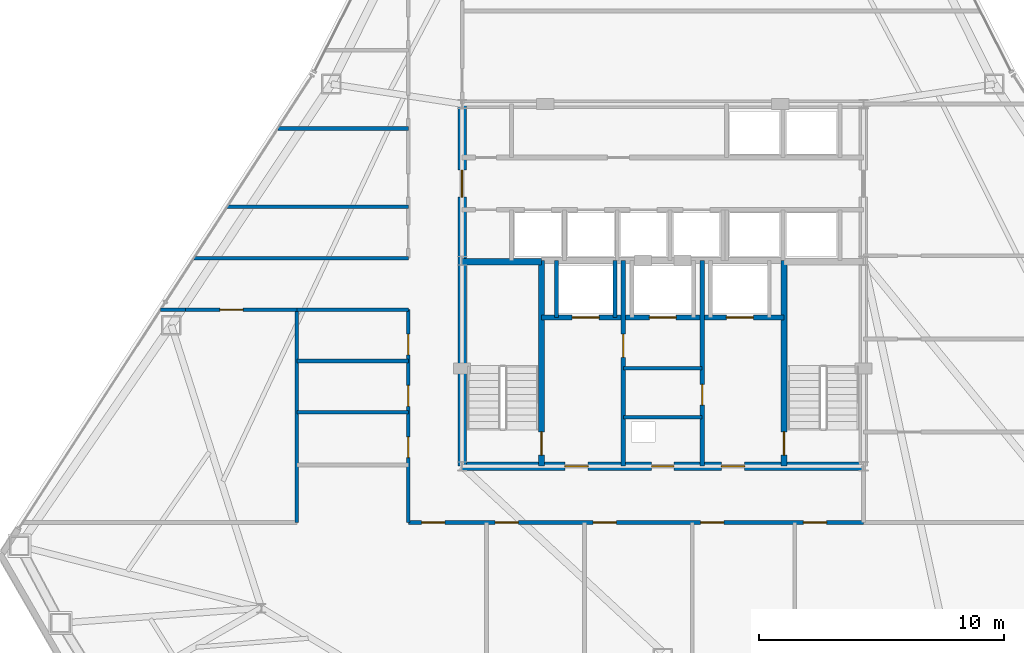
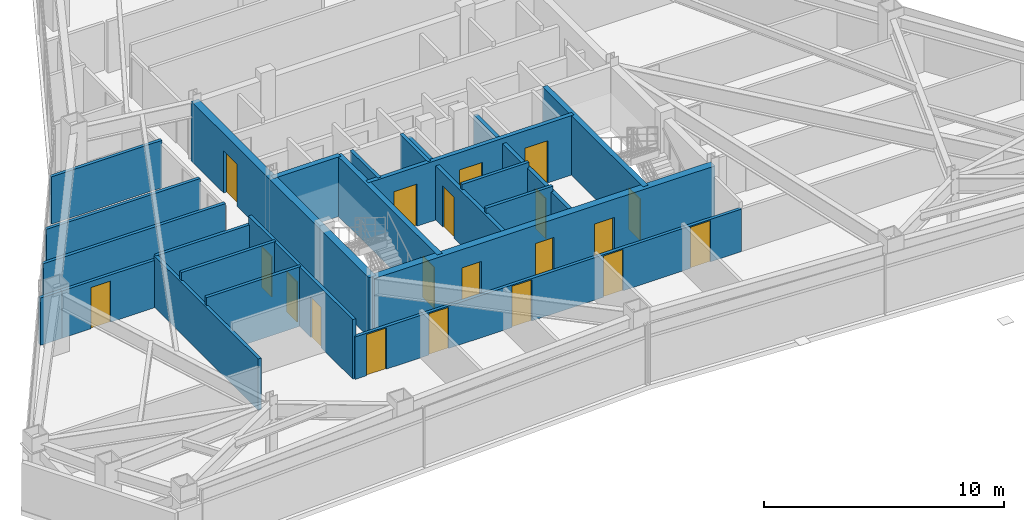
# One storey, part 9 of 12: 23 walls, 20 doors, 20 openings.
"""IFC4 building model written with IfcOpenShell, lengths in metres."""

from ifc_helpers import new_model, si_unit, direction, frame, frame_2d, origin, place, context, subcontext, project, spatial, rectangle, extrude, material, layer, layer_set, type_object, element, fill, save


model = new_model("IFC4")

# Units and contexts
model_context = context("Model", 3, precision=1e-05, world=origin(), true_north=direction((0.0, 1.0)))
body_context = subcontext(model_context, "Body", "Model", "MODEL_VIEW")
ifc_project = project(units=[si_unit("LENGTHUNIT", "METRE"), si_unit("AREAUNIT", "SQUARE_METRE"), si_unit("VOLUMEUNIT", "CUBIC_METRE"), si_unit("PLANEANGLEUNIT", "RADIAN"), si_unit("MASSUNIT", "GRAM", prefix="KILO")], contexts=[model_context])

# Site, building, storey
site_placement = place(None, origin())
site = spatial("IfcSite", under=ifc_project, at=site_placement, CompositionType="ELEMENT")
building_placement = place(site_placement, origin())
building = spatial("IfcBuilding", under=site, at=building_placement, Name="Varakhsha Concourse Tower", CompositionType="ELEMENT")
storey_placement = place(building_placement, frame((0.0, 0.0, 193.050048828125)))
storey = spatial("IfcBuildingStorey", under=building, at=storey_placement, Name="L55", CompositionType="ELEMENT", Elevation=193.050048828125)

# Wall, openings, doors
ifc_material_1 = material(Name="Concrete fc 65 MPa", Category="concrete")
ifc_layer_1 = layer(ifc_material_1, 0.35009765625, Name="WL-CORE-350")
ifc_layer_set_1 = layer_set([ifc_layer_1], Name="Concrete fc 65 MPa")
wall_type_1 = type_object("IfcWallType", Name="WL-CORE-350", PredefinedType="SHEAR", material=ifc_layer_set_1)
wall_1_placement = place(storey_placement, frame((31.800048828125, 16.39990234375, 0.0), z_axis=(0.0, 0.0, 1.0), x_axis=(1.0, 0.0, 0.0)))
wall_1 = element("IfcWall", 1, at=wall_1_placement, inside=storey, type_object=wall_type_1, Name="L55 Wall CWALL-S-L55", PredefinedType="SHEAR", context=body_context, shape_type="SweptSolid", body=[
    extrude(rectangle(XDim=16.39990234375, YDim=0.35009765625, at=frame_2d((8.199951171875, 0.0))), origin(), (0.0, 0.0, 1.0), 3.030029296875),
])
opening_1_placement = place(wall_1_placement, frame((7.75, 0.0, 0.0)))
opening_1 = element("IfcOpeningElement", 2, at=opening_1_placement, cuts=wall_1, Name="Opening DF-06", PredefinedType="OPENING", context=body_context, shape_type="SweptSolid", body=[
    extrude(rectangle(XDim=0.89990234375, YDim=2.10009765625, at=frame_2d((0.449951171875, 1.050048828125))), frame((0.0, 0.18505859375, 0.0), z_axis=(0.0, -1.0, 0.0), x_axis=(1.0, 0.0, 0.0)), (0.0, 0.0, 1.0), 0.3701171875),
])
opening_2_placement = place(wall_1_placement, frame((4.199951171875, 0.0, 0.0)))
opening_2 = element("IfcOpeningElement", 3, at=opening_2_placement, cuts=wall_1, Name="Opening DF-05", PredefinedType="OPENING", context=body_context, shape_type="SweptSolid", body=[
    extrude(rectangle(XDim=0.949951171875, YDim=2.10009765625, at=frame_2d((0.47509765625, 1.050048828125))), frame((0.0, 0.18505859375, 0.0), z_axis=(0.0, -1.0, 0.0), x_axis=(1.0, 0.0, 0.0)), (0.0, 0.0, 1.0), 0.3701171875),
])
opening_3_placement = place(wall_1_placement, frame((10.60009765625, 0.0, 0.0)))
opening_3 = element("IfcOpeningElement", 4, at=opening_3_placement, cuts=wall_1, Name="Opening DF-05", PredefinedType="OPENING", context=body_context, shape_type="SweptSolid", body=[
    extrude(rectangle(XDim=0.949951171875, YDim=2.10009765625, at=frame_2d((0.47509765625, 1.050048828125))), frame((0.0, 0.18505859375, 0.0), z_axis=(0.0, -1.0, 0.0), x_axis=(1.0, 0.0, 0.0)), (0.0, 0.0, 1.0), 0.3701171875),
])
ifc_material_2 = material(Name="Hollow Galvanised Steel Fire Door Assembly", Category="steel")
door_type_1 = type_object("IfcDoorType", Name="DR-FD60-900", OperationType="NOTDEFINED", PredefinedType="DOOR", material=ifc_material_2)
door_1_placement = place(opening_1_placement, origin())
door_1 = element("IfcDoor", 5, at=door_1_placement, inside=storey, type_object=door_type_1, Name="L55 Electrical Riser Door", OperationType="SINGLE_SWING_LEFT", OverallHeight=2.10009765625, OverallWidth=0.89990234375, PredefinedType="DOOR", context=body_context, shape_type="SweptSolid", body=[
    extrude(rectangle(XDim=0.89990234375, YDim=2.10009765625, at=frame_2d((0.449951171875, 1.050048828125))), frame((0.0, 0.02490234375, 0.0), z_axis=(0.0, -1.0, 0.0), x_axis=(1.0, 0.0, 0.0)), (0.0, 0.0, 1.0), 0.050048828125),
])
fill(opening_1, door_1)
door_type_2 = type_object("IfcDoorType", Name="DR-FD60-950", OperationType="NOTDEFINED", PredefinedType="DOOR", material=ifc_material_2)
door_2_placement = place(opening_2_placement, origin())
door_2 = element("IfcDoor", 6, at=door_2_placement, inside=storey, type_object=door_type_2, Name="L55 Firefighting Lobby West Door", OperationType="SINGLE_SWING_RIGHT", OverallHeight=2.10009765625, OverallWidth=0.949951171875, PredefinedType="DOOR", context=body_context, shape_type="SweptSolid", body=[
    extrude(rectangle(XDim=0.949951171875, YDim=2.10009765625, at=frame_2d((0.47509765625, 1.050048828125))), frame((0.0, 0.02490234375, 0.0), z_axis=(0.0, -1.0, 0.0), x_axis=(1.0, 0.0, 0.0)), (0.0, 0.0, 1.0), 0.050048828125),
])
fill(opening_2, door_2)
door_3_placement = place(opening_3_placement, origin())
door_3 = element("IfcDoor", 7, at=door_3_placement, inside=storey, type_object=door_type_2, Name="L55 Firefighting Lobby East Door", OperationType="SINGLE_SWING_LEFT", OverallHeight=2.10009765625, OverallWidth=0.949951171875, PredefinedType="DOOR", context=body_context, shape_type="SweptSolid", body=[
    extrude(rectangle(XDim=0.949951171875, YDim=2.10009765625, at=frame_2d((0.47509765625, 1.050048828125))), frame((0.0, 0.02490234375, 0.0), z_axis=(0.0, -1.0, 0.0), x_axis=(1.0, 0.0, 0.0)), (0.0, 0.0, 1.0), 0.050048828125),
])
fill(opening_3, door_3)

# Wall, opening, door
wall_2_placement = place(storey_placement, frame((31.800048828125, 16.39990234375, 0.0), z_axis=(0.0, 0.0, 1.0), x_axis=(0.0, 1.0, 0.0)))
wall_2 = element("IfcWall", 8, at=wall_2_placement, inside=storey, type_object=wall_type_1, Name="L55 Wall CWALL-W-L55", PredefinedType="SHEAR", context=body_context, shape_type="SweptSolid", body=[
    extrude(rectangle(XDim=14.800048828125, YDim=0.35009765625, at=frame_2d((7.39990234375, 0.0))), origin(), (0.0, 0.0, 1.0), 3.030029296875),
])
opening_4_placement = place(wall_2_placement, frame((11.0, 0.0, 0.0)))
opening_4 = element("IfcOpeningElement", 9, at=opening_4_placement, cuts=wall_2, Name="Opening DL-01", PredefinedType="OPENING", context=body_context, shape_type="SweptSolid", body=[
    extrude(rectangle(XDim=1.10009765625, YDim=2.14990234375, at=frame_2d((0.550048828125, 1.074951171875))), frame((0.0, 0.18505859375, 0.0), z_axis=(0.0, -1.0, 0.0), x_axis=(1.0, 0.0, 0.0)), (0.0, 0.0, 1.0), 0.3701171875),
])
ifc_material_3 = material(Name="Anodised Bronze Architectural Aluminium AA 6063-T6", Category="aluminium")
door_type_3 = type_object("IfcDoorType", Name="DR-LOB-1100", OperationType="NOTDEFINED", PredefinedType="DOOR", material=ifc_material_3)
door_4_placement = place(opening_4_placement, origin())
door_4 = element("IfcDoor", 10, at=door_4_placement, inside=storey, type_object=door_type_3, Name="L55 Lift Lobby West Concourse Door", OperationType="SINGLE_SWING_LEFT", OverallHeight=2.14990234375, OverallWidth=1.10009765625, PredefinedType="DOOR", context=body_context, shape_type="SweptSolid", body=[
    extrude(rectangle(XDim=1.10009765625, YDim=2.14990234375, at=frame_2d((0.550048828125, 1.074951171875))), frame((0.0, 0.02490234375, 0.0), z_axis=(0.0, -1.0, 0.0), x_axis=(1.0, 0.0, 0.0)), (0.0, 0.0, 1.0), 0.050048828125),
])
fill(opening_4, door_4)

ifc_material_4 = material(Name="Fire-Rated Type X Gypsum Partition Assembly", Category="gypsum")
ifc_layer_2 = layer(ifc_material_4, 0.179931640625, Name="WL-FFLOB-180")
ifc_layer_set_2 = layer_set([ifc_layer_2], Name="Fire-Rated Type X Gypsum Partition Assembly")
wall_type_2 = type_object("IfcWallType", Name="WL-FFLOB-180", PredefinedType="PARTITIONING", material=ifc_layer_set_2)
wall_3_placement = place(storey_placement, frame((38.389892578125, 16.39990234375, 0.0), z_axis=(0.0, 0.0, 1.0), x_axis=(0.0, 1.0, 0.0)))
wall_3 = element("IfcWall", 11, at=wall_3_placement, inside=storey, type_object=wall_type_2, Name="L55 Wall FFW-1E-L55", PredefinedType="PARTITIONING", context=body_context, shape_type="SweptSolid", body=[
    extrude(rectangle(XDim=8.400146484375, YDim=0.179931640625, at=frame_2d((4.2001953125, 0.0))), origin(), (0.0, 0.0, 1.0), 2.758056640625),
])
opening_5_placement = place(wall_3_placement, frame((4.449951171875, 0.0, 0.0)))
opening_5 = element("IfcOpeningElement", 12, at=opening_5_placement, cuts=wall_3, Name="Opening DF-05", PredefinedType="OPENING", context=body_context, shape_type="SweptSolid", body=[
    extrude(rectangle(XDim=0.949951171875, YDim=2.10009765625, at=frame_2d((0.47509765625, 1.050048828125))), frame((0.0, 0.099853515625, 0.0), z_axis=(0.0, -1.0, 0.0), x_axis=(1.0, 0.0, 0.0)), (0.0, 0.0, 1.0), 0.199951171875),
])
door_5_placement = place(opening_5_placement, origin())
door_5 = element("IfcDoor", 13, at=door_5_placement, inside=storey, type_object=door_type_2, Name="L55 Service Vestibule Door", OperationType="SINGLE_SWING_RIGHT", OverallHeight=2.10009765625, OverallWidth=0.949951171875, PredefinedType="DOOR", context=body_context, shape_type="SweptSolid", body=[
    extrude(rectangle(XDim=0.949951171875, YDim=2.10009765625, at=frame_2d((0.47509765625, 1.050048828125))), frame((0.0, 0.02490234375, 0.0), z_axis=(0.0, -1.0, 0.0), x_axis=(1.0, 0.0, 0.0)), (0.0, 0.0, 1.0), 0.050048828125),
])
fill(opening_5, door_5)

wall_4_placement = place(storey_placement, frame((41.610107421875, 16.39990234375, 0.0), z_axis=(0.0, 0.0, 1.0), x_axis=(0.0, 1.0, 0.0)))
wall_4 = element("IfcWall", 14, at=wall_4_placement, inside=storey, type_object=wall_type_2, Name="L55 Wall FFW-2W-L55", PredefinedType="PARTITIONING", context=body_context, shape_type="SweptSolid", body=[
    extrude(rectangle(XDim=8.400146484375, YDim=0.179931640625, at=frame_2d((4.2001953125, 0.0))), origin(), (0.0, 0.0, 1.0), 2.758056640625),
])
opening_6_placement = place(wall_4_placement, frame((2.5, 0.0, 0.0)))
opening_6 = element("IfcOpeningElement", 15, at=opening_6_placement, cuts=wall_4, Name="Opening DF-07", PredefinedType="OPENING", context=body_context, shape_type="SweptSolid", body=[
    extrude(rectangle(XDim=0.85009765625, YDim=2.050048828125, at=frame_2d((0.425048828125, 1.02490234375))), frame((0.0, 0.099853515625, 0.0), z_axis=(0.0, -1.0, 0.0), x_axis=(1.0, 0.0, 0.0)), (0.0, 0.0, 1.0), 0.199951171875),
])
door_type_4 = type_object("IfcDoorType", Name="DR-FD60-850", OperationType="NOTDEFINED", PredefinedType="DOOR", material=ifc_material_2)
door_6_placement = place(opening_6_placement, origin())
door_6 = element("IfcDoor", 16, at=door_6_placement, inside=storey, type_object=door_type_4, Name="L55 Telecoms Node Door", OperationType="SINGLE_SWING_LEFT", OverallHeight=2.050048828125, OverallWidth=0.85009765625, PredefinedType="DOOR", context=body_context, shape_type="SweptSolid", body=[
    extrude(rectangle(XDim=0.85009765625, YDim=2.050048828125, at=frame_2d((0.425048828125, 1.02490234375))), frame((0.0, 0.02490234375, 0.0), z_axis=(0.0, -1.0, 0.0), x_axis=(1.0, 0.0, 0.0)), (0.0, 0.0, 1.0), 0.050048828125),
])
fill(opening_6, door_6)

# Walls
ifc_layer_3 = layer(ifc_material_4, 0.14990234375, Name="WL-PART-150")
ifc_layer_set_3 = layer_set([ifc_layer_3], Name="Fire-Rated Type X Gypsum Partition Assembly")
wall_type_3 = type_object("IfcWallType", Name="WL-PART-150", PredefinedType="PARTITIONING", material=ifc_layer_set_3)
for number, where, z_axis, x_axis, name in (
    (17, (38.389892578125, 18.39990234375, 0.0), (0.0, 0.0, 1.0), (1.0, 0.0, 0.0), "L55 Wall RSW-H1-L55"),
    (18, (38.389892578125, 20.39990234375, 0.0), (0.0, 0.0, 1.0), (1.0, 0.0, 0.0), "L55 Wall RSW-H2-L55"),
):
    element("IfcWall", number, at=place(storey_placement, frame(where, z_axis=z_axis, x_axis=x_axis)), inside=storey, type_object=wall_type_3, Name=name, PredefinedType="PARTITIONING", context=body_context, shape_type="SweptSolid", body=[
        extrude(rectangle(XDim=3.22021484375, YDim=0.14990234375, at=frame_2d((1.610107421875, 0.0))), origin(), (0.0, 0.0, 1.0), 3.030029296875),
    ])

# Wall, openings, doors
wall_5_placement = place(storey_placement, frame((29.60009765625, 14.10009765625, 0.0), z_axis=(0.0, 0.0, 1.0), x_axis=(1.0, 0.0, 0.0)))
wall_5 = element("IfcWall", 19, at=wall_5_placement, inside=storey, type_object=wall_type_3, Name="L55 Wall CRW-S-L55", PredefinedType="PARTITIONING", context=body_context, shape_type="SweptSolid", body=[
    extrude(rectangle(XDim=18.599853515625, YDim=0.14990234375, at=frame_2d((9.2998046875, 0.0))), origin(), (0.0, 0.0, 1.0), 2.160888671875),
])
opening_7_placement = place(wall_5_placement, frame((0.550048828125, 0.0, 0.0)))
opening_7 = element("IfcOpeningElement", 20, at=opening_7_placement, cuts=wall_5, Name="Opening DF-05", PredefinedType="OPENING", context=body_context, shape_type="SweptSolid", body=[
    extrude(rectangle(XDim=0.949951171875, YDim=2.10009765625, at=frame_2d((0.47509765625, 1.050048828125))), frame((0.0, 0.0849609375, 0.0), z_axis=(0.0, -1.0, 0.0), x_axis=(1.0, 0.0, 0.0)), (0.0, 0.0, 1.0), 0.169921875),
])
opening_8_placement = place(wall_5_placement, frame((3.550048828125, 0.0, 0.0)))
opening_8 = element("IfcOpeningElement", 21, at=opening_8_placement, cuts=wall_5, Name="Opening DF-05", PredefinedType="OPENING", context=body_context, shape_type="SweptSolid", body=[
    extrude(rectangle(XDim=0.949951171875, YDim=2.10009765625, at=frame_2d((0.47509765625, 1.050048828125))), frame((0.0, 0.0849609375, 0.0), z_axis=(0.0, -1.0, 0.0), x_axis=(1.0, 0.0, 0.0)), (0.0, 0.0, 1.0), 0.169921875),
])
opening_9_placement = place(wall_5_placement, frame((7.550048828125, 0.0, 0.0)))
opening_9 = element("IfcOpeningElement", 22, at=opening_9_placement, cuts=wall_5, Name="Opening DF-05", PredefinedType="OPENING", context=body_context, shape_type="SweptSolid", body=[
    extrude(rectangle(XDim=0.949951171875, YDim=2.10009765625, at=frame_2d((0.47509765625, 1.050048828125))), frame((0.0, 0.0849609375, 0.0), z_axis=(0.0, -1.0, 0.0), x_axis=(1.0, 0.0, 0.0)), (0.0, 0.0, 1.0), 0.169921875),
])
opening_10_placement = place(wall_5_placement, frame((11.949951171875, 0.0, 0.0)))
opening_10 = element("IfcOpeningElement", 23, at=opening_10_placement, cuts=wall_5, Name="Opening DF-05", PredefinedType="OPENING", context=body_context, shape_type="SweptSolid", body=[
    extrude(rectangle(XDim=0.949951171875, YDim=2.10009765625, at=frame_2d((0.47509765625, 1.050048828125))), frame((0.0, 0.0849609375, 0.0), z_axis=(0.0, -1.0, 0.0), x_axis=(1.0, 0.0, 0.0)), (0.0, 0.0, 1.0), 0.169921875),
])
opening_11_placement = place(wall_5_placement, frame((16.14990234375, 0.0, 0.0)))
opening_11 = element("IfcOpeningElement", 24, at=opening_11_placement, cuts=wall_5, Name="Opening DF-05", PredefinedType="OPENING", context=body_context, shape_type="SweptSolid", body=[
    extrude(rectangle(XDim=0.949951171875, YDim=2.10009765625, at=frame_2d((0.47509765625, 1.050048828125))), frame((0.0, 0.0849609375, 0.0), z_axis=(0.0, -1.0, 0.0), x_axis=(1.0, 0.0, 0.0)), (0.0, 0.0, 1.0), 0.169921875),
])
door_7_placement = place(opening_7_placement, origin())
door_7 = element("IfcDoor", 25, at=door_7_placement, inside=storey, type_object=door_type_2, Name="L55 Grand Corner Boardroom L55-S1 Door", OperationType="SINGLE_SWING_LEFT", OverallHeight=2.10009765625, OverallWidth=0.949951171875, PredefinedType="DOOR", context=body_context, shape_type="SweptSolid", body=[
    extrude(rectangle(XDim=0.949951171875, YDim=2.10009765625, at=frame_2d((0.47509765625, 1.050048828125))), frame((0.0, 0.02490234375, 0.0), z_axis=(0.0, -1.0, 0.0), x_axis=(1.0, 0.0, 0.0)), (0.0, 0.0, 1.0), 0.050048828125),
])
fill(opening_7, door_7)
door_8_placement = place(opening_8_placement, origin())
door_8 = element("IfcDoor", 26, at=door_8_placement, inside=storey, type_object=door_type_2, Name="L55 Executive Director Suite L55-S2 Door", OperationType="SINGLE_SWING_RIGHT", OverallHeight=2.10009765625, OverallWidth=0.949951171875, PredefinedType="DOOR", context=body_context, shape_type="SweptSolid", body=[
    extrude(rectangle(XDim=0.949951171875, YDim=2.10009765625, at=frame_2d((0.47509765625, 1.050048828125))), frame((0.0, 0.02490234375, 0.0), z_axis=(0.0, -1.0, 0.0), x_axis=(1.0, 0.0, 0.0)), (0.0, 0.0, 1.0), 0.050048828125),
])
fill(opening_8, door_8)
door_9_placement = place(opening_9_placement, origin())
door_9 = element("IfcDoor", 27, at=door_9_placement, inside=storey, type_object=door_type_2, Name="L55 Executive Director Suite L55-S3 Door", OperationType="SINGLE_SWING_LEFT", OverallHeight=2.10009765625, OverallWidth=0.949951171875, PredefinedType="DOOR", context=body_context, shape_type="SweptSolid", body=[
    extrude(rectangle(XDim=0.949951171875, YDim=2.10009765625, at=frame_2d((0.47509765625, 1.050048828125))), frame((0.0, 0.02490234375, 0.0), z_axis=(0.0, -1.0, 0.0), x_axis=(1.0, 0.0, 0.0)), (0.0, 0.0, 1.0), 0.050048828125),
])
fill(opening_9, door_9)
door_10_placement = place(opening_10_placement, origin())
door_10 = element("IfcDoor", 28, at=door_10_placement, inside=storey, type_object=door_type_2, Name="L55 Executive Director Suite L55-S4 Door", OperationType="SINGLE_SWING_RIGHT", OverallHeight=2.10009765625, OverallWidth=0.949951171875, PredefinedType="DOOR", context=body_context, shape_type="SweptSolid", body=[
    extrude(rectangle(XDim=0.949951171875, YDim=2.10009765625, at=frame_2d((0.47509765625, 1.050048828125))), frame((0.0, 0.02490234375, 0.0), z_axis=(0.0, -1.0, 0.0), x_axis=(1.0, 0.0, 0.0)), (0.0, 0.0, 1.0), 0.050048828125),
])
fill(opening_10, door_10)
door_11_placement = place(opening_11_placement, origin())
door_11 = element("IfcDoor", 29, at=door_11_placement, inside=storey, type_object=door_type_2, Name="L55 Executive Director Suite L55-S5 Door", OperationType="SINGLE_SWING_LEFT", OverallHeight=2.10009765625, OverallWidth=0.949951171875, PredefinedType="DOOR", context=body_context, shape_type="SweptSolid", body=[
    extrude(rectangle(XDim=0.949951171875, YDim=2.10009765625, at=frame_2d((0.47509765625, 1.050048828125))), frame((0.0, 0.02490234375, 0.0), z_axis=(0.0, -1.0, 0.0), x_axis=(1.0, 0.0, 0.0)), (0.0, 0.0, 1.0), 0.050048828125),
])
fill(opening_11, door_11)

wall_6_placement = place(storey_placement, frame((29.60009765625, 14.10009765625, 0.0), z_axis=(0.0, 0.0, 1.0), x_axis=(0.0, 1.0, 0.0)))
wall_6 = element("IfcWall", 30, at=wall_6_placement, inside=storey, type_object=wall_type_3, Name="L55 Wall CRW-WS-L55", PredefinedType="PARTITIONING", context=body_context, shape_type="SweptSolid", body=[
    extrude(rectangle(XDim=8.699951171875, YDim=0.14990234375, at=frame_2d((4.35009765625, 0.0))), origin(), (0.0, 0.0, 1.0), 3.030029296875),
])
opening_12_placement = place(wall_6_placement, frame((2.64990234375, 0.0, 0.0)))
opening_12 = element("IfcOpeningElement", 31, at=opening_12_placement, cuts=wall_6, Name="Opening DF-07", PredefinedType="OPENING", context=body_context, shape_type="SweptSolid", body=[
    extrude(rectangle(XDim=0.85009765625, YDim=2.050048828125, at=frame_2d((0.425048828125, 1.02490234375))), frame((0.0, 0.0849609375, 0.0), z_axis=(0.0, -1.0, 0.0), x_axis=(1.0, 0.0, 0.0)), (0.0, 0.0, 1.0), 0.169921875),
])
opening_13_placement = place(wall_6_placement, frame((4.75, 0.0, 0.0)))
opening_13 = element("IfcOpeningElement", 32, at=opening_13_placement, cuts=wall_6, Name="Opening DF-07", PredefinedType="OPENING", context=body_context, shape_type="SweptSolid", body=[
    extrude(rectangle(XDim=0.85009765625, YDim=2.050048828125, at=frame_2d((0.425048828125, 1.02490234375))), frame((0.0, 0.0849609375, 0.0), z_axis=(0.0, -1.0, 0.0), x_axis=(1.0, 0.0, 0.0)), (0.0, 0.0, 1.0), 0.169921875),
])
opening_14_placement = place(wall_6_placement, frame((6.85009765625, 0.0, 0.0)))
opening_14 = element("IfcOpeningElement", 33, at=opening_14_placement, cuts=wall_6, Name="Opening DF-07", PredefinedType="OPENING", context=body_context, shape_type="SweptSolid", body=[
    extrude(rectangle(XDim=0.85009765625, YDim=2.050048828125, at=frame_2d((0.425048828125, 1.02490234375))), frame((0.0, 0.0849609375, 0.0), z_axis=(0.0, -1.0, 0.0), x_axis=(1.0, 0.0, 0.0)), (0.0, 0.0, 1.0), 0.169921875),
])
door_12_placement = place(opening_12_placement, origin())
door_12 = element("IfcDoor", 34, at=door_12_placement, inside=storey, type_object=door_type_4, Name="L55 Men Restroom WC Door", OperationType="SINGLE_SWING_LEFT", OverallHeight=2.050048828125, OverallWidth=0.85009765625, PredefinedType="DOOR", context=body_context, shape_type="SweptSolid", body=[
    extrude(rectangle(XDim=0.85009765625, YDim=2.050048828125, at=frame_2d((0.425048828125, 1.02490234375))), frame((0.0, 0.02490234375, 0.0), z_axis=(0.0, -1.0, 0.0), x_axis=(1.0, 0.0, 0.0)), (0.0, 0.0, 1.0), 0.050048828125),
])
fill(opening_12, door_12)
door_13_placement = place(opening_13_placement, origin())
door_13 = element("IfcDoor", 35, at=door_13_placement, inside=storey, type_object=door_type_4, Name="L55 Women Restroom WC Door", OperationType="SINGLE_SWING_LEFT", OverallHeight=2.050048828125, OverallWidth=0.85009765625, PredefinedType="DOOR", context=body_context, shape_type="SweptSolid", body=[
    extrude(rectangle(XDim=0.85009765625, YDim=2.050048828125, at=frame_2d((0.425048828125, 1.02490234375))), frame((0.0, 0.02490234375, 0.0), z_axis=(0.0, -1.0, 0.0), x_axis=(1.0, 0.0, 0.0)), (0.0, 0.0, 1.0), 0.050048828125),
])
fill(opening_13, door_13)
door_14_placement = place(opening_14_placement, origin())
door_14 = element("IfcDoor", 36, at=door_14_placement, inside=storey, type_object=door_type_4, Name="L55 Accessible WC Door", OperationType="SINGLE_SWING_LEFT", OverallHeight=2.050048828125, OverallWidth=0.85009765625, PredefinedType="DOOR", context=body_context, shape_type="SweptSolid", body=[
    extrude(rectangle(XDim=0.85009765625, YDim=2.050048828125, at=frame_2d((0.425048828125, 1.02490234375))), frame((0.0, 0.02490234375, 0.0), z_axis=(0.0, -1.0, 0.0), x_axis=(1.0, 0.0, 0.0)), (0.0, 0.0, 1.0), 0.050048828125),
])
fill(opening_14, door_14)

# Walls
wall_7_placement = place(storey_placement, frame((19.47900390625, 22.800048828125, 0.0), z_axis=(0.0, 0.0, 1.0), x_axis=(1.0, 0.0, 0.0)))
element("IfcWall", 37, at=wall_7_placement, inside=storey, type_object=wall_type_3, Name="L55 Wall CRW-WWS-W-L55", PredefinedType="PARTITIONING", context=body_context, shape_type="SweptSolid", body=[
    extrude(rectangle(XDim=1.02099609375, YDim=0.14990234375, at=frame_2d((0.510498046875, 0.0))), origin(), (0.0, 0.0, 1.0), 2.408935546875),
])
wall_8_placement = place(storey_placement, frame((25.050048828125, 22.800048828125, 0.0), z_axis=(0.0, 0.0, 1.0), x_axis=(1.0, 0.0, 0.0)))
element("IfcWall", 38, at=wall_8_placement, inside=storey, type_object=wall_type_3, Name="L55 Wall CRW-WWS-E-L55", PredefinedType="PARTITIONING", context=body_context, shape_type="SweptSolid", body=[
    extrude(rectangle(XDim=4.550048828125, YDim=0.14990234375, at=frame_2d((2.27490234375, 0.0))), origin(), (0.0, 0.0, 1.0), 2.613037109375),
])
wall_9_placement = place(storey_placement, frame((20.839111328125, 24.89990234375, 0.0), z_axis=(0.0, 0.0, 1.0), x_axis=(1.0, 0.0, 0.0)))
element("IfcWall", 39, at=wall_9_placement, inside=storey, type_object=wall_type_3, Name="L55 Wall CRW-WWN-L55", PredefinedType="PARTITIONING", context=body_context, shape_type="SweptSolid", body=[
    extrude(rectangle(XDim=8.760986328125, YDim=0.14990234375, at=frame_2d((4.38037109375, 0.0))), origin(), (0.0, 0.0, 1.0), 2.408935546875),
])
wall_10_placement = place(storey_placement, frame((25.050048828125, 14.10009765625, 0.0), z_axis=(0.0, 0.0, 1.0), x_axis=(0.0, 1.0, 0.0)))
element("IfcWall", 40, at=wall_10_placement, inside=storey, type_object=wall_type_3, Name="L55 Wall C2WC-W-L55", PredefinedType="PARTITIONING", context=body_context, shape_type="SweptSolid", body=[
    extrude(rectangle(XDim=8.699951171875, YDim=0.14990234375, at=frame_2d((4.35009765625, 0.0))), origin(), (0.0, 0.0, 1.0), 2.613037109375),
])
for number, where, z_axis, x_axis, name in (
    (41, (25.050048828125, 18.60009765625, 0.0), (0.0, 0.0, 1.0), (1.0, 0.0, 0.0), "L55 Wall C2WC-D1-L55"),
    (42, (25.050048828125, 20.699951171875, 0.0), (0.0, 0.0, 1.0), (1.0, 0.0, 0.0), "L55 Wall C2WC-D2-L55"),
):
    element("IfcWall", number, at=place(storey_placement, frame(where, z_axis=z_axis, x_axis=x_axis)), inside=storey, type_object=wall_type_3, Name=name, PredefinedType="PARTITIONING", context=body_context, shape_type="SweptSolid", body=[
        extrude(rectangle(XDim=4.550048828125, YDim=0.14990234375, at=frame_2d((2.27490234375, 0.0))), origin(), (0.0, 0.0, 1.0), 3.030029296875),
    ])

# Wall, opening, door
wall_11_placement = place(storey_placement, frame((20.5, 22.800048828125, 0.0), z_axis=(0.0, 0.0, 1.0), x_axis=(1.0, 0.0, 0.0)))
wall_11 = element("IfcWall", 43, at=wall_11_placement, inside=storey, type_object=wall_type_3, Name="L55 Wall CRW-WWS-DOOR-L55", PredefinedType="PARTITIONING", context=body_context, shape_type="SweptSolid", body=[
    extrude(rectangle(XDim=4.550048828125, YDim=0.14990234375, at=frame_2d((2.27490234375, 0.0))), origin(), (0.0, 0.0, 1.0), 2.408935546875),
])
opening_15_placement = place(wall_11_placement, frame((1.39990234375, 0.0, 0.0)))
opening_15 = element("IfcOpeningElement", 44, at=opening_15_placement, cuts=wall_11, Name="Opening DF-05", PredefinedType="OPENING", context=body_context, shape_type="SweptSolid", body=[
    extrude(rectangle(XDim=0.949951171875, YDim=2.10009765625, at=frame_2d((0.47509765625, 1.050048828125))), frame((0.0, 0.0849609375, 0.0), z_axis=(0.0, -1.0, 0.0), x_axis=(1.0, 0.0, 0.0)), (0.0, 0.0, 1.0), 0.169921875),
])
door_15_placement = place(opening_15_placement, origin())
door_15 = element("IfcDoor", 45, at=door_15_placement, inside=storey, type_object=door_type_2, Name="L55 Diplomatic Reception Gallery L55-SW Door", OperationType="SINGLE_SWING_LEFT", OverallHeight=2.10009765625, OverallWidth=0.949951171875, PredefinedType="DOOR", context=body_context, shape_type="SweptSolid", body=[
    extrude(rectangle(XDim=0.949951171875, YDim=2.10009765625, at=frame_2d((0.47509765625, 1.050048828125))), frame((0.0, 0.02490234375, 0.0), z_axis=(0.0, -1.0, 0.0), x_axis=(1.0, 0.0, 0.0)), (0.0, 0.0, 1.0), 0.050048828125),
])
fill(opening_15, door_15)

# Walls
wall_12_placement = place(storey_placement, frame((22.198974609375, 27.0, 0.0), z_axis=(0.0, 0.0, 1.0), x_axis=(1.0, 0.0, 0.0)))
element("IfcWall", 46, at=wall_12_placement, inside=storey, type_object=wall_type_3, Name="L55 Wall ODIV-W1-L55", PredefinedType="PARTITIONING", context=body_context, shape_type="SweptSolid", body=[
    extrude(rectangle(XDim=7.401123046875, YDim=0.14990234375, at=frame_2d((3.70068359375, 0.0))), origin(), (0.0, 0.0, 1.0), 2.408935546875),
])
wall_13_placement = place(storey_placement, frame((24.271484375, 30.199951171875, 0.0), z_axis=(0.0, 0.0, 1.0), x_axis=(1.0, 0.0, 0.0)))
element("IfcWall", 47, at=wall_13_placement, inside=storey, type_object=wall_type_3, Name="L55 Wall ODIV-W2-L55", PredefinedType="PARTITIONING", context=body_context, shape_type="SweptSolid", body=[
    extrude(rectangle(XDim=5.32861328125, YDim=0.14990234375, at=frame_2d((2.664306640625, 0.0))), origin(), (0.0, 0.0, 1.0), 2.408935546875),
])

# Wall, openings, doors
ifc_layer_4 = layer(ifc_material_4, 0.199951171875, Name="WL-SHAFT-220")
ifc_layer_set_4 = layer_set([ifc_layer_4], Name="Fire-Rated Type X Gypsum Partition Assembly")
wall_type_4 = type_object("IfcWallType", Name="WL-SHAFT-220", PredefinedType="SOLIDWALL", material=ifc_layer_set_4)
wall_14_placement = place(storey_placement, frame((35.044921875, 22.47998046875, 0.0), z_axis=(0.0, 0.0, 1.0), x_axis=(1.0, 0.0, 0.0)))
wall_14 = element("IfcWall", 48, at=wall_14_placement, inside=storey, type_object=wall_type_4, Name="L55 Wall FFW-NH-L55", PredefinedType="SOLIDWALL", context=body_context, shape_type="SweptSolid", body=[
    extrude(rectangle(XDim=9.91015625, YDim=0.199951171875, at=frame_2d((4.955078125, 0.0))), origin(), (0.0, 0.0, 1.0), 3.030029296875),
])
opening_16_placement = place(wall_14_placement, frame((1.2548828125, 0.0, 0.0)))
opening_16 = element("IfcOpeningElement", 49, at=opening_16_placement, cuts=wall_14, Name="Opening LD-FFL-1", PredefinedType="OPENING", context=body_context, shape_type="SweptSolid", body=[
    extrude(rectangle(XDim=1.10009765625, YDim=2.14990234375, at=frame_2d((0.550048828125, 1.074951171875))), frame((0.0, 0.10986328125, 0.0), z_axis=(0.0, -1.0, 0.0), x_axis=(1.0, 0.0, 0.0)), (0.0, 0.0, 1.0), 0.219970703125),
])
opening_17_placement = place(wall_14_placement, frame((7.554931640625, 0.0, 0.0)))
opening_17 = element("IfcOpeningElement", 50, at=opening_17_placement, cuts=wall_14, Name="Opening LD-FFL-2", PredefinedType="OPENING", context=body_context, shape_type="SweptSolid", body=[
    extrude(rectangle(XDim=1.10009765625, YDim=2.14990234375, at=frame_2d((0.550048828125, 1.074951171875))), frame((0.0, 0.10986328125, 0.0), z_axis=(0.0, -1.0, 0.0), x_axis=(1.0, 0.0, 0.0)), (0.0, 0.0, 1.0), 0.219970703125),
])
opening_18_placement = place(wall_14_placement, frame((4.405029296875, 0.0, 0.0)))
opening_18 = element("IfcOpeningElement", 51, at=opening_18_placement, cuts=wall_14, Name="Opening LD-SVL-1", PredefinedType="OPENING", context=body_context, shape_type="SweptSolid", body=[
    extrude(rectangle(XDim=1.10009765625, YDim=2.14990234375, at=frame_2d((0.550048828125, 1.074951171875))), frame((0.0, 0.10986328125, 0.0), z_axis=(0.0, -1.0, 0.0), x_axis=(1.0, 0.0, 0.0)), (0.0, 0.0, 1.0), 0.219970703125),
])
ifc_material_5 = material(Name="Brushed Austenitic Stainless Steel AISI 316", Category="steel")
door_type_5 = type_object("IfcDoorType", Name="DR-LD-1100", OperationType="DOUBLE_DOOR_SLIDING", PredefinedType="DOOR", material=ifc_material_5)
door_16_placement = place(opening_16_placement, origin())
door_16 = element("IfcDoor", 52, at=door_16_placement, inside=storey, type_object=door_type_5, Name="Lift Landing Door FFL-1 L55", OperationType="DOUBLE_DOOR_SLIDING", OverallHeight=2.14990234375, OverallWidth=1.10009765625, PredefinedType="DOOR", context=body_context, shape_type="SweptSolid", body=[
    extrude(rectangle(XDim=1.10009765625, YDim=2.14990234375, at=frame_2d((0.550048828125, 1.074951171875))), frame((0.0, 0.02490234375, 0.0), z_axis=(0.0, -1.0, 0.0), x_axis=(1.0, 0.0, 0.0)), (0.0, 0.0, 1.0), 0.050048828125),
])
fill(opening_16, door_16)
door_17_placement = place(opening_17_placement, origin())
door_17 = element("IfcDoor", 53, at=door_17_placement, inside=storey, type_object=door_type_5, Name="Lift Landing Door FFL-2 L55", OperationType="DOUBLE_DOOR_SLIDING", OverallHeight=2.14990234375, OverallWidth=1.10009765625, PredefinedType="DOOR", context=body_context, shape_type="SweptSolid", body=[
    extrude(rectangle(XDim=1.10009765625, YDim=2.14990234375, at=frame_2d((0.550048828125, 1.074951171875))), frame((0.0, 0.02490234375, 0.0), z_axis=(0.0, -1.0, 0.0), x_axis=(1.0, 0.0, 0.0)), (0.0, 0.0, 1.0), 0.050048828125),
])
fill(opening_17, door_17)
door_18_placement = place(opening_18_placement, origin())
door_18 = element("IfcDoor", 54, at=door_18_placement, inside=storey, type_object=door_type_5, Name="Lift Landing Door SVL-1 L55", OperationType="DOUBLE_DOOR_SLIDING", OverallHeight=2.14990234375, OverallWidth=1.10009765625, PredefinedType="DOOR", context=body_context, shape_type="SweptSolid", body=[
    extrude(rectangle(XDim=1.10009765625, YDim=2.14990234375, at=frame_2d((0.550048828125, 1.074951171875))), frame((0.0, 0.02490234375, 0.0), z_axis=(0.0, -1.0, 0.0), x_axis=(1.0, 0.0, 0.0)), (0.0, 0.0, 1.0), 0.050048828125),
])
fill(opening_18, door_18)

# Walls
for number, where, z_axis, x_axis, name in (
    (55, (35.64990234375, 22.47998046875, 0.0), (0.0, 0.0, 1.0), (0.0, 1.0, 0.0), "L55 Wall SHW-FFL-1-W-L55"),
    (56, (38.050048828125, 22.47998046875, 0.0), (0.0, 0.0, 1.0), (0.0, 1.0, 0.0), "L55 Wall SHW-FFL-1-E-L55"),
):
    element("IfcWall", number, at=place(storey_placement, frame(where, z_axis=z_axis, x_axis=x_axis)), inside=storey, type_object=wall_type_4, Name=name, PredefinedType="SOLIDWALL", context=body_context, shape_type="SweptSolid", body=[
        extrude(rectangle(XDim=2.320068359375, YDim=0.159912109375, at=frame_2d((1.16015625, 0.0))), origin(), (0.0, 0.0, 1.0), 3.030029296875),
    ])

# Wall, opening, door
ifc_material_6 = material(Name="Concrete fc 45 MPa", Category="concrete")
ifc_layer_5 = layer(ifc_material_6, 0.25, Name="WL-STAIR-250")
ifc_layer_set_5 = layer_set([ifc_layer_5], Name="Concrete fc 45 MPa")
wall_type_5 = type_object("IfcWallType", Name="WL-STAIR-250", PredefinedType="SHEAR", material=ifc_layer_set_5)
wall_15_placement = place(storey_placement, frame((35.044921875, 16.39990234375, 0.0), z_axis=(0.0, 0.0, 1.0), x_axis=(0.0, 1.0, 0.0)))
wall_15 = element("IfcWall", 57, at=wall_15_placement, inside=storey, type_object=wall_type_5, Name="L55 Wall SWALL-ST1-E-L55", PredefinedType="SHEAR", context=body_context, shape_type="SweptSolid", body=[
    extrude(rectangle(XDim=8.400146484375, YDim=0.25, at=frame_2d((4.2001953125, 0.0))), origin(), (0.0, 0.0, 1.0), 3.030029296875),
])
opening_19_placement = place(wall_15_placement, frame((0.449951171875, 0.0, 0.0)))
opening_19 = element("IfcOpeningElement", 58, at=opening_19_placement, cuts=wall_15, Name="Opening DF-03", PredefinedType="OPENING", context=body_context, shape_type="SweptSolid", body=[
    extrude(rectangle(XDim=0.949951171875, YDim=2.10009765625, at=frame_2d((0.47509765625, 1.050048828125))), frame((0.0, 0.135009765625, 0.0), z_axis=(0.0, -1.0, 0.0), x_axis=(1.0, 0.0, 0.0)), (0.0, 0.0, 1.0), 0.27001953125),
])
door_type_6 = type_object("IfcDoorType", Name="DR-FD90-950", OperationType="NOTDEFINED", PredefinedType="DOOR", material=ifc_material_2)
door_19_placement = place(opening_19_placement, origin())
door_19 = element("IfcDoor", 59, at=door_19_placement, inside=storey, type_object=door_type_6, Name="L55 Stair ST1 Fire Door", OperationType="SINGLE_SWING_LEFT", OverallHeight=2.10009765625, OverallWidth=0.949951171875, PredefinedType="DOOR", context=body_context, shape_type="SweptSolid", body=[
    extrude(rectangle(XDim=0.949951171875, YDim=2.10009765625, at=frame_2d((0.47509765625, 1.050048828125))), frame((0.0, 0.02490234375, 0.0), z_axis=(0.0, -1.0, 0.0), x_axis=(1.0, 0.0, 0.0)), (0.0, 0.0, 1.0), 0.050048828125),
])
fill(opening_19, door_19)

# Wall
wall_16_placement = place(storey_placement, frame((31.800048828125, 24.7548828125, 0.0), z_axis=(0.0, 0.0, 1.0), x_axis=(1.0, 0.0, 0.0)))
element("IfcWall", 60, at=wall_16_placement, inside=storey, type_object=wall_type_5, Name="L55 Wall SWALL-ST1-N-L55", PredefinedType="SHEAR", context=body_context, shape_type="SweptSolid", body=[
    extrude(rectangle(XDim=3.244873046875, YDim=0.25, at=frame_2d((1.62255859375, 0.0))), origin(), (0.0, 0.0, 1.0), 3.030029296875),
])

# Wall, opening, door
wall_17_placement = place(storey_placement, frame((44.955078125, 16.39990234375, 0.0), z_axis=(0.0, 0.0, 1.0), x_axis=(0.0, 1.0, 0.0)))
wall_17 = element("IfcWall", 61, at=wall_17_placement, inside=storey, type_object=wall_type_5, Name="L55 Wall SWALL-ST2-W-L55", PredefinedType="SHEAR", context=body_context, shape_type="SweptSolid", body=[
    extrude(rectangle(XDim=8.400146484375, YDim=0.25, at=frame_2d((4.2001953125, 0.0))), origin(), (0.0, 0.0, 1.0), 3.030029296875),
])
opening_20_placement = place(wall_17_placement, frame((0.449951171875, 0.0, 0.0)))
opening_20 = element("IfcOpeningElement", 62, at=opening_20_placement, cuts=wall_17, Name="Opening DF-03", PredefinedType="OPENING", context=body_context, shape_type="SweptSolid", body=[
    extrude(rectangle(XDim=0.949951171875, YDim=2.10009765625, at=frame_2d((0.47509765625, 1.050048828125))), frame((0.0, 0.135009765625, 0.0), z_axis=(0.0, -1.0, 0.0), x_axis=(1.0, 0.0, 0.0)), (0.0, 0.0, 1.0), 0.27001953125),
])
door_20_placement = place(opening_20_placement, origin())
door_20 = element("IfcDoor", 63, at=door_20_placement, inside=storey, type_object=door_type_6, Name="L55 Stair ST2 Fire Door", OperationType="SINGLE_SWING_RIGHT", OverallHeight=2.10009765625, OverallWidth=0.949951171875, PredefinedType="DOOR", context=body_context, shape_type="SweptSolid", body=[
    extrude(rectangle(XDim=0.949951171875, YDim=2.10009765625, at=frame_2d((0.47509765625, 1.050048828125))), frame((0.0, 0.02490234375, 0.0), z_axis=(0.0, -1.0, 0.0), x_axis=(1.0, 0.0, 0.0)), (0.0, 0.0, 1.0), 0.050048828125),
])
fill(opening_20, door_20)

save(model, "model.ifc")
